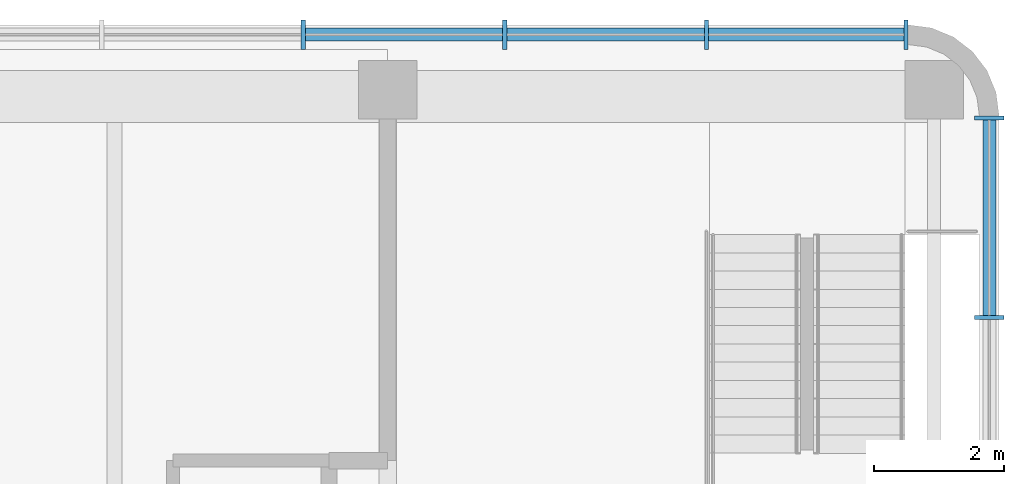
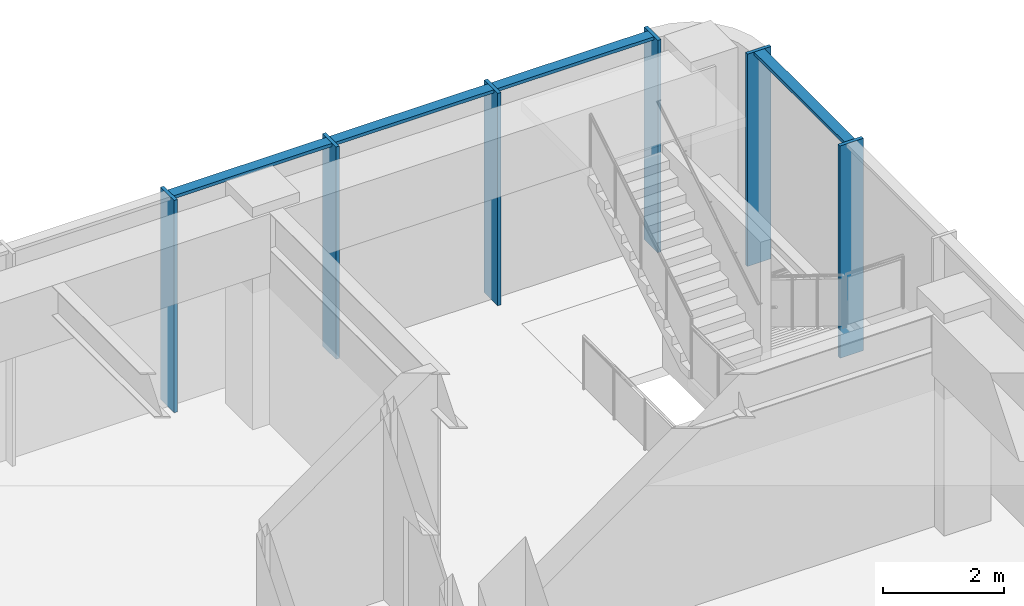
# One storey, part 7 of 17: 10 members, 2 elements without a shape of their own.
"""IFC4 building model written with IfcOpenShell, lengths in metres."""

from ifc_helpers import new_model, si_unit, direction, frame, origin, origin_2d, place, context, subcontext, project, spatial, rectangle, extrude, material, material_profile, profile_set, type_object, element, aggregate, save


model = new_model("IFC4")

# Units and contexts
model_context = context("Model", 3, precision=1e-05, world=origin(), true_north=direction((0.0, 1.0)))
body_context = subcontext(model_context, "Body", "Model", "MODEL_VIEW")
ifc_project = project(units=[si_unit("LENGTHUNIT", "METRE"), si_unit("AREAUNIT", "SQUARE_METRE"), si_unit("VOLUMEUNIT", "CUBIC_METRE"), si_unit("PLANEANGLEUNIT", "RADIAN"), si_unit("MASSUNIT", "GRAM", prefix="KILO")], contexts=[model_context])

# Site, building, storey
site_placement = place(None, origin())
site = spatial("IfcSite", under=ifc_project, at=site_placement, CompositionType="ELEMENT")
building_placement = place(site_placement, origin())
building = spatial("IfcBuilding", under=site, at=building_placement, Name="Torre Alcanfor", CompositionType="ELEMENT")
storey_placement = place(building_placement, frame((0.0, 0.0, 19.5)))
storey = spatial("IfcBuildingStorey", under=building, at=storey_placement, Name="L04", CompositionType="ELEMENT", Elevation=19.5)

# Curtain wall, members
ifc_material_1 = material(Name="Aluminium and glass", Category="aluminium")
curtain_wall_type = type_object("IfcCurtainWallType", Name="CW-B unitised classroom glazing with vertical FIN", PredefinedType="NOTDEFINED", material=ifc_material_1)
curtain_wall_1_placement = place(storey_placement, origin())
curtain_wall_1 = element("IfcCurtainWall", 1, at=curtain_wall_1_placement, inside=storey, type_object=curtain_wall_type, Name="Curtain wall CW-B L04 1", PredefinedType="NOTDEFINED")
ifc_material_2 = material(Name="Bronze anodised aluminium", Category="aluminium")
ifc_material_profile_1 = material_profile(ifc_material_2, rectangle(XDim=0.449951171875, YDim=0.06494140625, at=origin_2d()), Name="CW-B mullion 65x450")
ifc_profile_set_1 = profile_set([ifc_material_profile_1], Name="Bronze anodised aluminium")
member_type_1 = type_object("IfcMemberType", Name="CW-B mullion with vertical FIN 65x450", PredefinedType="MULLION", material=ifc_profile_set_1)
member_1_placement = place(storey_placement, frame((59.64990234375, 55.301025390625, 0.0), z_axis=(0.0, 0.0, 1.0), x_axis=(-1.0, 0.0, 0.0)))
member_1 = element("IfcMember", 2, at=member_1_placement, type_object=member_type_1, Name="CW-B mullion 5.5", PredefinedType="MULLION", context=body_context, shape_type="SweptSolid", body=[
    extrude(rectangle(XDim=0.449951171875, YDim=0.06494140625, at=origin_2d()), origin(), (0.0, 0.0, 1.0), 4.300048828125),
])
member_2_placement = place(storey_placement, frame((59.64990234375, 58.367431640625, 0.0), z_axis=(0.0, 0.0, 1.0), x_axis=(-1.0, 0.0, 0.0)))
member_2 = element("IfcMember", 3, at=member_2_placement, type_object=member_type_1, Name="CW-B mullion 5.6", PredefinedType="MULLION", context=body_context, shape_type="SweptSolid", body=[
    extrude(rectangle(XDim=0.449951171875, YDim=0.06494140625, at=origin_2d()), origin(), (0.0, 0.0, 1.0), 4.300048828125),
])

curtain_wall_2_placement = place(storey_placement, origin())
curtain_wall_2 = element("IfcCurtainWall", 4, at=curtain_wall_2_placement, inside=storey, type_object=curtain_wall_type, Name="Curtain wall CW-B L04 2", PredefinedType="NOTDEFINED")
member_3_placement = place(storey_placement, frame((58.367431640625, 59.64990234375, 0.0), z_axis=(0.0, 0.0, 1.0), x_axis=(0.0, -1.0, 0.0)))
member_3 = element("IfcMember", 5, at=member_3_placement, type_object=member_type_1, Name="CW-B mullion 1.1", PredefinedType="MULLION", context=body_context, shape_type="SweptSolid", body=[
    extrude(rectangle(XDim=0.449951171875, YDim=0.06494140625, at=origin_2d()), origin(), (0.0, 0.0, 1.0), 4.300048828125),
])
member_4_placement = place(storey_placement, frame((55.301025390625, 59.64990234375, 0.0), z_axis=(0.0, 0.0, 1.0), x_axis=(0.0, -1.0, 0.0)))
member_4 = element("IfcMember", 6, at=member_4_placement, type_object=member_type_1, Name="CW-B mullion 1.2", PredefinedType="MULLION", context=body_context, shape_type="SweptSolid", body=[
    extrude(rectangle(XDim=0.449951171875, YDim=0.06494140625, at=origin_2d()), origin(), (0.0, 0.0, 1.0), 4.300048828125),
])
member_5_placement = place(storey_placement, frame((52.201904296875, 59.64990234375, 0.0), z_axis=(0.0, 0.0, 1.0), x_axis=(0.0, -1.0, 0.0)))
member_5 = element("IfcMember", 7, at=member_5_placement, type_object=member_type_1, Name="CW-B mullion 1.3", PredefinedType="MULLION", context=body_context, shape_type="SweptSolid", body=[
    extrude(rectangle(XDim=0.449951171875, YDim=0.06494140625, at=origin_2d()), origin(), (0.0, 0.0, 1.0), 4.300048828125),
])
member_6_placement = place(storey_placement, frame((49.10302734375, 59.64990234375, 0.0), z_axis=(0.0, 0.0, 1.0), x_axis=(0.0, -1.0, 0.0)))
member_6 = element("IfcMember", 8, at=member_6_placement, type_object=member_type_1, Name="CW-B mullion 1.4", PredefinedType="MULLION", context=body_context, shape_type="SweptSolid", body=[
    extrude(rectangle(XDim=0.449951171875, YDim=0.06494140625, at=origin_2d()), origin(), (0.0, 0.0, 1.0), 4.300048828125),
])

# Member
ifc_material_3 = material(Name="Extruded aluminium", Category="aluminium")
ifc_material_profile_2 = material_profile(ifc_material_3, rectangle(XDim=0.199951171875, YDim=0.06494140625, at=origin_2d()), Name="CW-B transom 200x65")
ifc_profile_set_2 = profile_set([ifc_material_profile_2], Name="Extruded aluminium")
member_type_2 = type_object("IfcMemberType", Name="CW-B transom 65x200", PredefinedType="USERDEFINED", material=ifc_profile_set_2)
member_7_placement = place(storey_placement, frame((59.64990234375, 55.33349609375, 4.267578125), z_axis=(0.0, 1.0, 0.0), x_axis=(-1.0, 0.0, 0.0)))
member_7 = element("IfcMember", 9, at=member_7_placement, type_object=member_type_2, Name="CW-B transom 5.5.2", ObjectType="TRANSOM", PredefinedType="USERDEFINED", context=body_context, shape_type="SweptSolid", body=[
    extrude(rectangle(XDim=0.199951171875, YDim=0.06494140625, at=origin_2d()), origin(), (0.0, 0.0, 1.0), 3.00146484375),
])

aggregate(curtain_wall_1, [member_1, member_2, member_7])

member_8_placement = place(storey_placement, frame((58.3349609375, 59.64990234375, 4.267578125), z_axis=(-1.0, 0.0, 0.0), x_axis=(0.0, -1.0, 0.0)))
member_8 = element("IfcMember", 10, at=member_8_placement, type_object=member_type_2, Name="CW-B transom 1.1.2", ObjectType="TRANSOM", PredefinedType="USERDEFINED", context=body_context, shape_type="SweptSolid", body=[
    extrude(rectangle(XDim=0.199951171875, YDim=0.06494140625, at=origin_2d()), origin(), (0.0, 0.0, 1.0), 3.00146484375),
])

member_9_placement = place(storey_placement, frame((55.2685546875, 59.64990234375, 4.267578125), z_axis=(-1.0, 0.0, 0.0), x_axis=(0.0, -1.0, 0.0)))
member_9 = element("IfcMember", 11, at=member_9_placement, type_object=member_type_2, Name="CW-B transom 1.2.2", ObjectType="TRANSOM", PredefinedType="USERDEFINED", context=body_context, shape_type="SweptSolid", body=[
    extrude(rectangle(XDim=0.199951171875, YDim=0.06494140625, at=origin_2d()), origin(), (0.0, 0.0, 1.0), 3.033935546875),
])

member_10_placement = place(storey_placement, frame((52.16943359375, 59.64990234375, 4.267578125), z_axis=(-1.0, 0.0, 0.0), x_axis=(0.0, -1.0, 0.0)))
member_10 = element("IfcMember", 12, at=member_10_placement, type_object=member_type_2, Name="CW-B transom 1.3.2", ObjectType="TRANSOM", PredefinedType="USERDEFINED", context=body_context, shape_type="SweptSolid", body=[
    extrude(rectangle(XDim=0.199951171875, YDim=0.06494140625, at=origin_2d()), origin(), (0.0, 0.0, 1.0), 3.033935546875),
])

aggregate(curtain_wall_2, [member_3, member_4, member_5, member_6, member_8, member_9, member_10])

save(model, "model.ifc")
